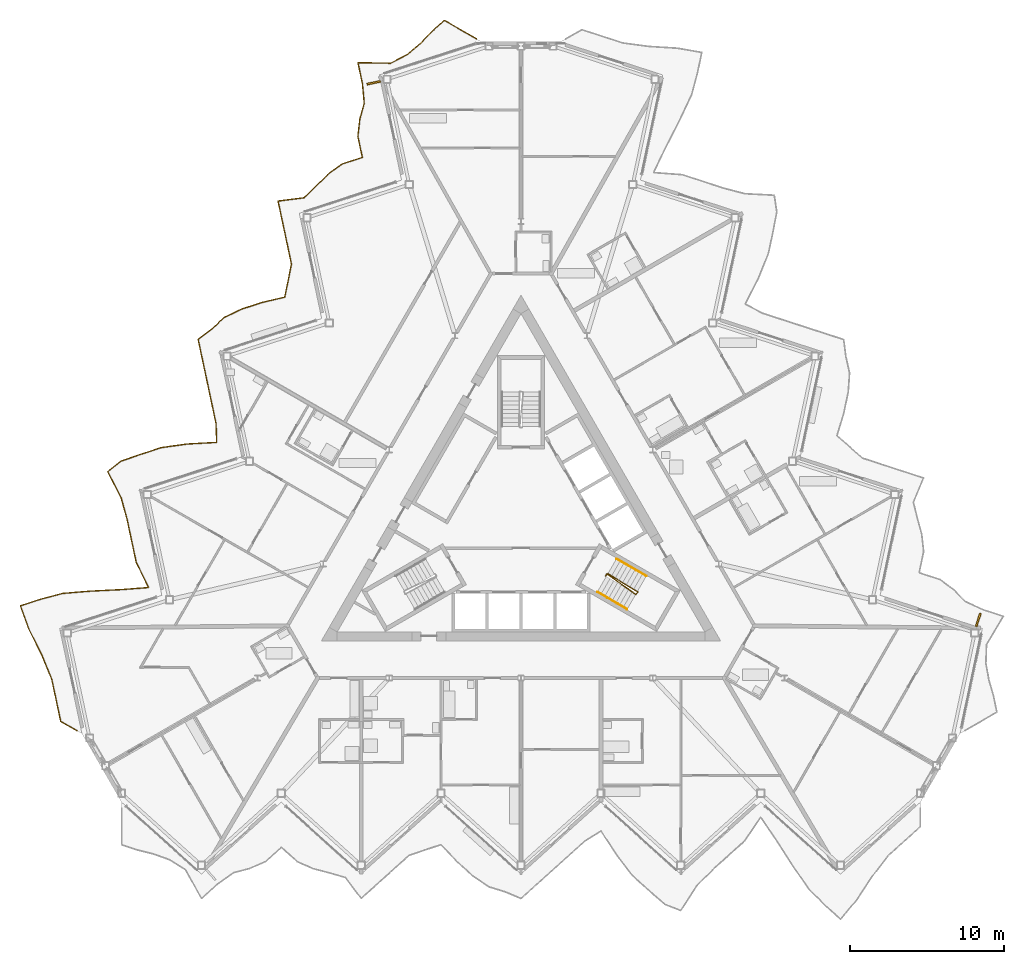
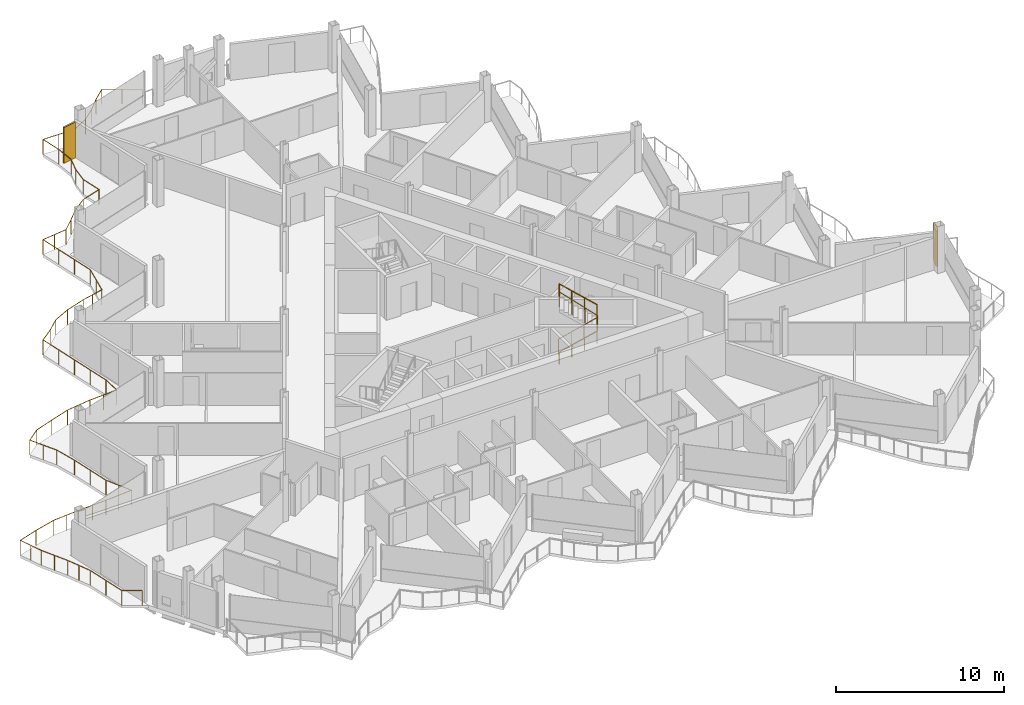
# One storey, part 23 of 26: 4 railings, 2 shading devices.
"""IFC4 building model written with IfcOpenShell, lengths in metres."""

from ifc_helpers import new_model, si_unit, direction, frame, origin, origin_2d, place, context, subcontext, project, spatial, rectangle, circle, extrude, material, layer, layer_set, type_object, element, save


model = new_model("IFC4")

# Units and contexts
model_context = context("Model", 3, precision=1e-05, world=origin(), true_north=direction((0.0, 1.0)))
body_context = subcontext(model_context, "Body", "Model", "MODEL_VIEW")
ifc_project = project(units=[si_unit("LENGTHUNIT", "METRE"), si_unit("AREAUNIT", "SQUARE_METRE"), si_unit("VOLUMEUNIT", "CUBIC_METRE"), si_unit("PLANEANGLEUNIT", "RADIAN"), si_unit("MASSUNIT", "GRAM", prefix="KILO")], contexts=[model_context])

# Site, building, storey
site_placement = place(None, origin())
site = spatial("IfcSite", under=ifc_project, at=site_placement, CompositionType="ELEMENT")
building_placement = place(site_placement, origin())
building = spatial("IfcBuilding", under=site, at=building_placement, Name="Cormorant Prow Tower", CompositionType="ELEMENT")
storey_placement = place(building_placement, frame((0.0, 0.0, 374.60009765625)))
storey = spatial("IfcBuildingStorey", under=building, at=storey_placement, Name="L84", CompositionType="ELEMENT", Elevation=374.60009765625)

# Railings
ifc_material_1 = material(Name="Aluminium 6063-T6", Category="aluminium")
railing_type_1 = type_object("IfcRailingType", Name="Balcony guard 1100", PredefinedType="GUARDRAIL", material=ifc_material_1)
railing_1_placement = place(storey_placement, frame((-2.9033203125, 31.698486328125, 0.0)))
element("IfcRailing", 1, at=railing_1_placement, inside=storey, type_object=railing_type_1, Name="Balcony guard WNW", PredefinedType="GUARDRAIL", context=body_context, shape_type="SweptSolid", body=[
    extrude(circle(Radius=0.02392578125, at=origin_2d()), frame((0.0, 0.0, 1.076171875), z_axis=(-0.866028295127, 0.499994992015, 0.0), x_axis=(-0.499994992015, -0.866028295127, 0.0)), (0.0, 0.0, 1.0), 2.40380859375),
    extrude(circle(Radius=0.02392578125, at=origin_2d()), frame((-2.081787109375, 1.201904296875, 1.076171875), z_axis=(-0.747028027556, -0.664792543615, 0.0), x_axis=(0.664792543615, -0.747028027556, 0.0)), (0.0, 0.0, 1.0), 1.095458984375),
    extrude(circle(Radius=0.02392578125, at=origin_2d()), frame((-2.900146484375, 0.4736328125, 1.076171875), z_axis=(-0.694236727025, -0.719746737992, 0.0), x_axis=(0.719746737992, -0.694236727025, 0.0)), (0.0, 0.0, 1.0), 1.07177734375),
    extrude(circle(Radius=0.02392578125, at=origin_2d()), frame((-3.644287109375, -0.2978515625, 1.076171875), z_axis=(-0.76253887215, -0.646942399647, 0.0), x_axis=(0.646942399647, -0.76253887215, 0.0)), (0.0, 0.0, 1.0), 1.1044921875),
    extrude(circle(Radius=0.02392578125, at=origin_2d()), frame((-4.486572265625, -1.012451171875, 1.076171875), z_axis=(-0.883594298779, -0.468253259641, 0.0), x_axis=(0.468253259641, -0.883594298779, 0.0)), (0.0, 0.0, 1.0), 1.227294921875),
    extrude(circle(Radius=0.02392578125, at=origin_2d()), frame((-5.571044921875, -1.587158203125, 1.076171875), z_axis=(-0.999868822817, 0.016196825558, 0.0), x_axis=(-0.016196825558, -0.999868822817, 0.0)), (0.0, 0.0, 1.0), 2.140380859375),
    extrude(circle(Radius=0.02392578125, at=origin_2d()), frame((-7.711181640625, -1.552490234375, 1.076171875), z_axis=(0.207812845083, -0.978168605823, 0.0), x_axis=(0.978168605823, 0.207812845083, 0.0)), (0.0, 0.0, 1.0), 1.399169921875),
    extrude(circle(Radius=0.02392578125, at=origin_2d()), frame((-7.42041015625, -2.921142578125, 1.076171875), z_axis=(0.092331865251, -0.995728289575, 0.0), x_axis=(0.995728289575, 0.092331865251, 0.0)), (0.0, 0.0, 1.0), 1.2744140625),
    extrude(circle(Radius=0.02392578125, at=origin_2d()), frame((-7.302734375, -4.190185546875, 1.076171875), z_axis=(-0.265615902579, -0.964078934682, 0.0), x_axis=(0.964078934682, -0.265615902579, 0.0)), (0.0, 0.0, 1.0), 1.074462890625),
    extrude(circle(Radius=0.02392578125, at=origin_2d()), frame((-7.588134765625, -5.22607421875, 1.076171875), z_axis=(-0.113242992784, -0.993567322624, 0.0), x_axis=(0.993567322624, -0.113242992784, 0.0)), (0.0, 0.0, 1.0), 1.134033203125),
    extrude(circle(Radius=0.02392578125, at=origin_2d()), frame((-7.716552734375, -6.352783203125, 1.076171875), z_axis=(0.207944297815, -0.978140669335, 0.0), x_axis=(0.978140669335, 0.207944297815, 0.0)), (0.0, 0.0, 1.0), 1.3994140625),
    extrude(circle(Radius=0.02392578125, at=origin_2d()), frame((-7.425537109375, -7.7216796875, 1.076171875), z_axis=(-0.951028941009, -0.309101849499, 0.0), x_axis=(0.309101849499, -0.951028941009, 0.0)), (0.0, 0.0, 1.0), 1.399658203125),
    extrude(circle(Radius=0.02392578125, at=origin_2d()), frame((-8.756591796875, -8.154296875, 1.076171875), z_axis=(-0.806097358344, -0.591782940672, 0.0), x_axis=(0.591782940672, -0.806097358344, 0.0)), (0.0, 0.0, 1.0), 1.1357421875),
    extrude(circle(Radius=0.02392578125, at=origin_2d()), frame((-9.672119140625, -8.826416015625, 1.076171875), z_axis=(-0.70254935374, -0.711635022718, 0.0), x_axis=(0.711635022718, -0.70254935374, 0.0)), (0.0, 0.0, 1.0), 1.074951171875),
    extrude(circle(Radius=0.02392578125, at=origin_2d()), frame((-10.42724609375, -9.59130859375, 1.076171875), z_axis=(-0.720069694102, -0.693901747825, 0.0), x_axis=(0.693901747825, -0.720069694102, 0.0)), (0.0, 0.0, 1.0), 1.082275390625),
    extrude(circle(Radius=0.02392578125, at=origin_2d()), frame((-11.20654296875, -10.34228515625, 1.076171875), z_axis=(-0.992011169579, -0.126150067104, 0.0), x_axis=(0.126150067104, -0.992011169579, 0.0)), (0.0, 0.0, 1.0), 1.718505859375),
    extrude(circle(Radius=0.02392578125, at=origin_2d()), frame((-12.911376953125, -10.55908203125, 1.076171875), z_axis=(0.207944297815, -0.978140669335, 0.0), x_axis=(0.978140669335, 0.207944297815, 0.0)), (0.0, 0.0, 1.0), 1.3994140625),
    extrude(circle(Radius=0.02392578125, at=origin_2d()), frame((-12.620361328125, -11.927978515625, 1.076171875), z_axis=(0.207944297815, -0.978140669335, 0.0), x_axis=(0.978140669335, 0.207944297815, 0.0)), (0.0, 0.0, 1.0), 1.3994140625),
    extrude(circle(Radius=0.02392578125, at=origin_2d()), frame((-12.329345703125, -13.296875, 1.076171875), z_axis=(0.207944297815, -0.978140669335, 0.0), x_axis=(0.978140669335, 0.207944297815, 0.0)), (0.0, 0.0, 1.0), 1.3994140625),
    extrude(circle(Radius=0.02392578125, at=origin_2d()), frame((-12.038330078125, -14.665771484375, 1.076171875), z_axis=(-0.198084601459, -0.980184926769, 0.0), x_axis=(0.980184926769, -0.198084601459, 0.0)), (0.0, 0.0, 1.0), 1.096923828125),
    extrude(circle(Radius=0.02392578125, at=origin_2d()), frame((-12.255615234375, -15.740966796875, 1.076171875), z_axis=(-0.203482527061, -0.979078577633, 0.0), x_axis=(0.979078577633, -0.203482527061, 0.0)), (0.0, 0.0, 1.0), 1.095458984375),
    extrude(circle(Radius=0.02392578125, at=origin_2d()), frame((-12.478515625, -16.8134765625, 1.076171875), z_axis=(-0.973469863135, -0.228815265154, 0.0), x_axis=(0.228815265154, -0.973469863135, 0.0)), (0.0, 0.0, 1.0), 1.518310546875),
    extrude(circle(Radius=0.02392578125, at=origin_2d()), frame((-13.95654296875, -17.160888671875, 1.076171875), z_axis=(-0.951080208938, -0.308944066403, 0.0), x_axis=(0.308944066403, -0.951080208938, 0.0)), (0.0, 0.0, 1.0), 1.3994140625),
    extrude(circle(Radius=0.02392578125, at=origin_2d()), frame((-15.28759765625, -17.59326171875, 1.076171875), z_axis=(-0.899160631428, -0.437618736905, 0.0), x_axis=(0.437618736905, -0.899160631428, 0.0)), (0.0, 0.0, 1.0), 1.255126953125),
    extrude(circle(Radius=0.02392578125, at=origin_2d()), frame((-16.416259765625, -18.142578125, 1.076171875), z_axis=(-0.733719269068, -0.679452746111, 0.0), x_axis=(0.679452746111, -0.733719269068, 0.0)), (0.0, 0.0, 1.0), 1.088623046875),
    extrude(circle(Radius=0.02392578125, at=origin_2d()), frame((-17.215087890625, -18.88232421875, 1.076171875), z_axis=(-0.795217846059, -0.606323822152, 0.0), x_axis=(0.606323822152, -0.795217846059, 0.0)), (0.0, 0.0, 1.0), 1.126953125),
    extrude(circle(Radius=0.02392578125, at=origin_2d()), frame((-18.111328125, -19.565673828125, 1.076171875), z_axis=(0.207944297815, -0.978140669335, 0.0), x_axis=(0.978140669335, 0.207944297815, 0.0)), (0.0, 0.0, 1.0), 1.3994140625),
    extrude(circle(Radius=0.02392578125, at=origin_2d()), frame((-17.8203125, -20.9345703125, 1.076171875), z_axis=(0.207944297815, -0.978140669335, 0.0), x_axis=(0.978140669335, 0.207944297815, 0.0)), (0.0, 0.0, 1.0), 1.3994140625),
    extrude(circle(Radius=0.02392578125, at=origin_2d()), frame((-17.529296875, -22.303466796875, 1.076171875), z_axis=(0.207944297815, -0.978140669335, 0.0), x_axis=(0.978140669335, 0.207944297815, 0.0)), (0.0, 0.0, 1.0), 1.3994140625),
    extrude(circle(Radius=0.02392578125, at=origin_2d()), frame((-17.23828125, -23.67236328125, 1.076171875), z_axis=(0.20777738218, -0.978176139279, 0.0), x_axis=(0.978176139279, 0.20777738218, 0.0)), (0.0, 0.0, 1.0), 1.3994140625),
    extrude(circle(Radius=0.02392578125, at=origin_2d()), frame((-16.947509765625, -25.041259765625, 1.076171875), z_axis=(0.031128847929, -0.999515379985, 0.0), x_axis=(0.999515379985, 0.031128847929, 0.0)), (0.0, 0.0, 1.0), 1.223388671875),
    extrude(circle(Radius=0.02392578125, at=origin_2d()), frame((-16.909423828125, -26.26416015625, 1.076171875), z_axis=(-0.998465882312, -0.05537040598, 0.0), x_axis=(0.05537040598, -0.998465882312, 0.0)), (0.0, 0.0, 1.0), 1.900390625),
    extrude(circle(Radius=0.02392578125, at=origin_2d()), frame((-18.806884765625, -26.369384765625, 1.076171875), z_axis=(-0.99070891835, -0.13599940846, 0.0), x_axis=(0.13599940846, -0.99070891835, 0.0)), (0.0, 0.0, 1.0), 1.696533203125),
    extrude(circle(Radius=0.02392578125, at=origin_2d()), frame((-20.487548828125, -26.60009765625, 1.076171875), z_axis=(-0.951063554534, -0.308995332064, 0.0), x_axis=(0.308995332064, -0.951063554534, 0.0)), (0.0, 0.0, 1.0), 1.399169921875),
    extrude(circle(Radius=0.02392578125, at=origin_2d()), frame((-21.818359375, -27.032470703125, 1.076171875), z_axis=(-0.945316455865, -0.326154561934, 0.0), x_axis=(0.326154561934, -0.945316455865, 0.0)), (0.0, 0.0, 1.0), 1.377197265625),
    extrude(circle(Radius=0.02392578125, at=origin_2d()), frame((-23.120361328125, -27.481689453125, 1.076171875), z_axis=(-0.781124687772, -0.624375065288, 0.0), x_axis=(0.624375065288, -0.781124687772, 0.0)), (0.0, 0.0, 1.0), 1.11669921875),
    extrude(circle(Radius=0.02392578125, at=origin_2d()), frame((-23.99267578125, -28.178955078125, 1.076171875), z_axis=(0.456008801075, -0.889975265579, 0.0), x_axis=(0.889975265579, 0.456008801075, 0.0)), (0.0, 0.0, 1.0), 1.916259765625),
    extrude(circle(Radius=0.02392578125, at=origin_2d()), frame((-23.118896484375, -29.88427734375, 1.076171875), z_axis=(0.263466814017, -0.9646684601, 0.0), x_axis=(0.9646684601, 0.263466814017, 0.0)), (0.0, 0.0, 1.0), 1.47802734375),
    extrude(circle(Radius=0.02392578125, at=origin_2d()), frame((-22.7294921875, -31.31005859375, 1.076171875), z_axis=(0.207944297815, -0.978140669335, 0.0), x_axis=(0.978140669335, 0.207944297815, 0.0)), (0.0, 0.0, 1.0), 1.3994140625),
    extrude(circle(Radius=0.02392578125, at=origin_2d()), frame((-22.4384765625, -32.678955078125, 1.076171875), z_axis=(0.207944297815, -0.978140669335, 0.0), x_axis=(0.978140669335, 0.207944297815, 0.0)), (0.0, 0.0, 1.0), 1.3994140625),
    extrude(circle(Radius=0.02392578125, at=origin_2d()), frame((-22.1474609375, -34.0478515625, 1.076171875), z_axis=(0.434486752243, -0.90067822341, 0.0), x_axis=(0.90067822341, 0.434486752243, 0.0)), (0.0, 0.0, 1.0), 1.84814453125),
    extrude(circle(Radius=0.02392578125, at=origin_2d()), frame((-21.344482421875, -35.71240234375, 1.076171875), z_axis=(-0.997204239549, -0.074724190364, 0.0), x_axis=(0.074724190364, -0.997204239549, 0.0)), (0.0, 0.0, 1.0), 1.845947265625),
    extrude(circle(Radius=0.02392578125, at=origin_2d()), frame((-23.185302734375, -35.850341796875, 1.076171875), z_axis=(-0.998814010326, -0.048688528186, 0.0), x_axis=(0.048688528186, -0.998814010326, 0.0)), (0.0, 0.0, 1.0), 1.92041015625),
    extrude(circle(Radius=0.02392578125, at=origin_2d()), frame((-25.103515625, -35.94384765625, 1.076171875), z_axis=(-0.996687929832, -0.081321402635, 0.0), x_axis=(0.081321402635, -0.996687929832, 0.0)), (0.0, 0.0, 1.0), 1.828369140625),
    extrude(circle(Radius=0.02392578125, at=origin_2d()), frame((-26.92578125, -36.092529296875, 1.076171875), z_axis=(-0.966314659055, -0.257363516637, 0.0), x_axis=(0.257363516637, -0.966314659055, 0.0)), (0.0, 0.0, 1.0), 1.47314453125),
    extrude(circle(Radius=0.02392578125, at=origin_2d()), frame((-28.349365234375, -36.4716796875, 1.076171875), z_axis=(-0.951080208938, -0.308944066403, 0.0), x_axis=(0.308944066403, -0.951080208938, 0.0)), (0.0, 0.0, 1.0), 1.3994140625),
    extrude(circle(Radius=0.02392578125, at=origin_2d()), frame((-29.680419921875, -36.904052734375, 1.076171875), z_axis=(0.34291675065, -0.939365797825, 0.0), x_axis=(0.939365797825, 0.34291675065, 0.0)), (0.0, 0.0, 1.0), 1.61962890625),
    extrude(circle(Radius=0.02392578125, at=origin_2d()), frame((-29.125, -38.425537109375, 1.076171875), z_axis=(0.445968959957, -0.895048427045, 0.0), x_axis=(0.895048427045, 0.445968959957, 0.0)), (0.0, 0.0, 1.0), 1.8837890625),
    extrude(circle(Radius=0.02392578125, at=origin_2d()), frame((-28.284912109375, -40.111572265625, 1.076171875), z_axis=(0.379883781197, -0.925034222493, 0.0), x_axis=(0.925034222493, 0.379883781197, 0.0)), (0.0, 0.0, 1.0), 1.701904296875),
    extrude(circle(Radius=0.02392578125, at=origin_2d()), frame((-27.638427734375, -41.685791015625, 1.076171875), z_axis=(0.207979786632, -0.978133124044, 0.0), x_axis=(0.978133124044, 0.207979786632, 0.0)), (0.0, 0.0, 1.0), 1.399169921875),
    extrude(circle(Radius=0.02392578125, at=origin_2d()), frame((-27.347412109375, -43.054443359375, 1.076171875), z_axis=(0.207944297815, -0.978140669335, 0.0), x_axis=(0.978140669335, 0.207944297815, 0.0)), (0.0, 0.0, 1.0), 1.3994140625),
    extrude(circle(Radius=0.02392578125, at=origin_2d()), frame((-27.056396484375, -44.42333984375, 1.076171875), z_axis=(0.865955602162, -0.500120880472, 0.0), x_axis=(0.500120880472, 0.865955602162, 0.0)), (0.0, 0.0, 1.0), 1.219970703125),
    extrude(circle(Radius=0.02099609375, at=origin_2d()), origin(), (0.0, 0.0, 1.0), 1.052001953125),
    extrude(circle(Radius=0.02099609375, at=origin_2d()), frame((-1.041015625, 0.60107421875, 0.0)), (0.0, 0.0, 1.0), 1.052001953125),
    extrude(circle(Radius=0.02099609375, at=origin_2d()), frame((-2.081787109375, 1.201904296875, 0.0)), (0.0, 0.0, 1.0), 1.052001953125),
    extrude(circle(Radius=0.02099609375, at=origin_2d()), frame((-2.900146484375, 0.4736328125, 0.0)), (0.0, 0.0, 1.0), 1.052001953125),
    extrude(circle(Radius=0.02099609375, at=origin_2d()), frame((-3.644287109375, -0.2978515625, 0.0)), (0.0, 0.0, 1.0), 1.052001953125),
    extrude(circle(Radius=0.02099609375, at=origin_2d()), frame((-4.486572265625, -1.012451171875, 0.0)), (0.0, 0.0, 1.0), 1.052001953125),
    extrude(circle(Radius=0.02099609375, at=origin_2d()), frame((-5.571044921875, -1.587158203125, 0.0)), (0.0, 0.0, 1.0), 1.052001953125),
    extrude(circle(Radius=0.02099609375, at=origin_2d()), frame((-6.64111328125, -1.56982421875, 0.0)), (0.0, 0.0, 1.0), 1.052001953125),
    extrude(circle(Radius=0.02099609375, at=origin_2d()), frame((-7.711181640625, -1.552490234375, 0.0)), (0.0, 0.0, 1.0), 1.052001953125),
    extrude(circle(Radius=0.02099609375, at=origin_2d()), frame((-7.42041015625, -2.921142578125, 0.0)), (0.0, 0.0, 1.0), 1.052001953125),
    extrude(circle(Radius=0.02099609375, at=origin_2d()), frame((-7.302734375, -4.190185546875, 0.0)), (0.0, 0.0, 1.0), 1.052001953125),
    extrude(circle(Radius=0.02099609375, at=origin_2d()), frame((-7.588134765625, -5.22607421875, 0.0)), (0.0, 0.0, 1.0), 1.052001953125),
    extrude(circle(Radius=0.02099609375, at=origin_2d()), frame((-7.716552734375, -6.352783203125, 0.0)), (0.0, 0.0, 1.0), 1.052001953125),
    extrude(circle(Radius=0.02099609375, at=origin_2d()), frame((-7.425537109375, -7.7216796875, 0.0)), (0.0, 0.0, 1.0), 1.052001953125),
    extrude(circle(Radius=0.02099609375, at=origin_2d()), frame((-8.756591796875, -8.154296875, 0.0)), (0.0, 0.0, 1.0), 1.052001953125),
    extrude(circle(Radius=0.02099609375, at=origin_2d()), frame((-9.672119140625, -8.826416015625, 0.0)), (0.0, 0.0, 1.0), 1.052001953125),
    extrude(circle(Radius=0.02099609375, at=origin_2d()), frame((-10.42724609375, -9.59130859375, 0.0)), (0.0, 0.0, 1.0), 1.052001953125),
    extrude(circle(Radius=0.02099609375, at=origin_2d()), frame((-11.20654296875, -10.34228515625, 0.0)), (0.0, 0.0, 1.0), 1.052001953125),
    extrude(circle(Radius=0.02099609375, at=origin_2d()), frame((-12.05908203125, -10.45068359375, 0.0)), (0.0, 0.0, 1.0), 1.052001953125),
    extrude(circle(Radius=0.02099609375, at=origin_2d()), frame((-12.911376953125, -10.55908203125, 0.0)), (0.0, 0.0, 1.0), 1.052001953125),
    extrude(circle(Radius=0.02099609375, at=origin_2d()), frame((-12.620361328125, -11.927978515625, 0.0)), (0.0, 0.0, 1.0), 1.052001953125),
    extrude(circle(Radius=0.02099609375, at=origin_2d()), frame((-12.329345703125, -13.296875, 0.0)), (0.0, 0.0, 1.0), 1.052001953125),
    extrude(circle(Radius=0.02099609375, at=origin_2d()), frame((-12.038330078125, -14.665771484375, 0.0)), (0.0, 0.0, 1.0), 1.052001953125),
    extrude(circle(Radius=0.02099609375, at=origin_2d()), frame((-12.255615234375, -15.740966796875, 0.0)), (0.0, 0.0, 1.0), 1.052001953125),
    extrude(circle(Radius=0.02099609375, at=origin_2d()), frame((-12.478515625, -16.8134765625, 0.0)), (0.0, 0.0, 1.0), 1.052001953125),
    extrude(circle(Radius=0.02099609375, at=origin_2d()), frame((-13.217529296875, -16.9873046875, 0.0)), (0.0, 0.0, 1.0), 1.052001953125),
    extrude(circle(Radius=0.02099609375, at=origin_2d()), frame((-13.95654296875, -17.160888671875, 0.0)), (0.0, 0.0, 1.0), 1.052001953125),
    extrude(circle(Radius=0.02099609375, at=origin_2d()), frame((-15.28759765625, -17.59326171875, 0.0)), (0.0, 0.0, 1.0), 1.052001953125),
    extrude(circle(Radius=0.02099609375, at=origin_2d()), frame((-16.416259765625, -18.142578125, 0.0)), (0.0, 0.0, 1.0), 1.052001953125),
    extrude(circle(Radius=0.02099609375, at=origin_2d()), frame((-17.215087890625, -18.88232421875, 0.0)), (0.0, 0.0, 1.0), 1.052001953125),
    extrude(circle(Radius=0.02099609375, at=origin_2d()), frame((-18.111328125, -19.565673828125, 0.0)), (0.0, 0.0, 1.0), 1.052001953125),
    extrude(circle(Radius=0.02099609375, at=origin_2d()), frame((-17.8203125, -20.9345703125, 0.0)), (0.0, 0.0, 1.0), 1.052001953125),
    extrude(circle(Radius=0.02099609375, at=origin_2d()), frame((-17.529296875, -22.303466796875, 0.0)), (0.0, 0.0, 1.0), 1.052001953125),
    extrude(circle(Radius=0.02099609375, at=origin_2d()), frame((-17.23828125, -23.67236328125, 0.0)), (0.0, 0.0, 1.0), 1.052001953125),
    extrude(circle(Radius=0.02099609375, at=origin_2d()), frame((-16.947509765625, -25.041259765625, 0.0)), (0.0, 0.0, 1.0), 1.052001953125),
    extrude(circle(Radius=0.02099609375, at=origin_2d()), frame((-16.909423828125, -26.26416015625, 0.0)), (0.0, 0.0, 1.0), 1.052001953125),
    extrude(circle(Radius=0.02099609375, at=origin_2d()), frame((-17.858154296875, -26.31689453125, 0.0)), (0.0, 0.0, 1.0), 1.052001953125),
    extrude(circle(Radius=0.02099609375, at=origin_2d()), frame((-18.806884765625, -26.369384765625, 0.0)), (0.0, 0.0, 1.0), 1.052001953125),
    extrude(circle(Radius=0.02099609375, at=origin_2d()), frame((-19.647216796875, -26.48486328125, 0.0)), (0.0, 0.0, 1.0), 1.052001953125),
    extrude(circle(Radius=0.02099609375, at=origin_2d()), frame((-20.487548828125, -26.60009765625, 0.0)), (0.0, 0.0, 1.0), 1.052001953125),
    extrude(circle(Radius=0.02099609375, at=origin_2d()), frame((-21.818359375, -27.032470703125, 0.0)), (0.0, 0.0, 1.0), 1.052001953125),
    extrude(circle(Radius=0.02099609375, at=origin_2d()), frame((-23.120361328125, -27.481689453125, 0.0)), (0.0, 0.0, 1.0), 1.052001953125),
    extrude(circle(Radius=0.02099609375, at=origin_2d()), frame((-23.99267578125, -28.178955078125, 0.0)), (0.0, 0.0, 1.0), 1.052001953125),
    extrude(circle(Radius=0.02099609375, at=origin_2d()), frame((-23.5556640625, -29.03173828125, 0.0)), (0.0, 0.0, 1.0), 1.052001953125),
    extrude(circle(Radius=0.02099609375, at=origin_2d()), frame((-23.118896484375, -29.88427734375, 0.0)), (0.0, 0.0, 1.0), 1.052001953125),
    extrude(circle(Radius=0.02099609375, at=origin_2d()), frame((-22.7294921875, -31.31005859375, 0.0)), (0.0, 0.0, 1.0), 1.052001953125),
    extrude(circle(Radius=0.02099609375, at=origin_2d()), frame((-22.4384765625, -32.678955078125, 0.0)), (0.0, 0.0, 1.0), 1.052001953125),
    extrude(circle(Radius=0.02099609375, at=origin_2d()), frame((-22.1474609375, -34.0478515625, 0.0)), (0.0, 0.0, 1.0), 1.052001953125),
    extrude(circle(Radius=0.02099609375, at=origin_2d()), frame((-21.74609375, -34.880126953125, 0.0)), (0.0, 0.0, 1.0), 1.052001953125),
    extrude(circle(Radius=0.02099609375, at=origin_2d()), frame((-21.344482421875, -35.71240234375, 0.0)), (0.0, 0.0, 1.0), 1.052001953125),
    extrude(circle(Radius=0.02099609375, at=origin_2d()), frame((-22.264892578125, -35.78125, 0.0)), (0.0, 0.0, 1.0), 1.052001953125),
    extrude(circle(Radius=0.02099609375, at=origin_2d()), frame((-23.185302734375, -35.850341796875, 0.0)), (0.0, 0.0, 1.0), 1.052001953125),
    extrude(circle(Radius=0.02099609375, at=origin_2d()), frame((-24.14453125, -35.89697265625, 0.0)), (0.0, 0.0, 1.0), 1.052001953125),
    extrude(circle(Radius=0.02099609375, at=origin_2d()), frame((-25.103515625, -35.94384765625, 0.0)), (0.0, 0.0, 1.0), 1.052001953125),
    extrude(circle(Radius=0.02099609375, at=origin_2d()), frame((-26.0146484375, -36.01806640625, 0.0)), (0.0, 0.0, 1.0), 1.052001953125),
    extrude(circle(Radius=0.02099609375, at=origin_2d()), frame((-26.92578125, -36.092529296875, 0.0)), (0.0, 0.0, 1.0), 1.052001953125),
    extrude(circle(Radius=0.02099609375, at=origin_2d()), frame((-28.349365234375, -36.4716796875, 0.0)), (0.0, 0.0, 1.0), 1.052001953125),
    extrude(circle(Radius=0.02099609375, at=origin_2d()), frame((-29.680419921875, -36.904052734375, 0.0)), (0.0, 0.0, 1.0), 1.052001953125),
    extrude(circle(Radius=0.02099609375, at=origin_2d()), frame((-29.40283203125, -37.664794921875, 0.0)), (0.0, 0.0, 1.0), 1.052001953125),
    extrude(circle(Radius=0.02099609375, at=origin_2d()), frame((-29.125, -38.425537109375, 0.0)), (0.0, 0.0, 1.0), 1.052001953125),
    extrude(circle(Radius=0.02099609375, at=origin_2d()), frame((-28.705078125, -39.2685546875, 0.0)), (0.0, 0.0, 1.0), 1.052001953125),
    extrude(circle(Radius=0.02099609375, at=origin_2d()), frame((-28.284912109375, -40.111572265625, 0.0)), (0.0, 0.0, 1.0), 1.052001953125),
    extrude(circle(Radius=0.02099609375, at=origin_2d()), frame((-27.961669921875, -40.898681640625, 0.0)), (0.0, 0.0, 1.0), 1.052001953125),
    extrude(circle(Radius=0.02099609375, at=origin_2d()), frame((-27.638427734375, -41.685791015625, 0.0)), (0.0, 0.0, 1.0), 1.052001953125),
    extrude(circle(Radius=0.02099609375, at=origin_2d()), frame((-27.347412109375, -43.054443359375, 0.0)), (0.0, 0.0, 1.0), 1.052001953125),
    extrude(circle(Radius=0.02099609375, at=origin_2d()), frame((-27.056396484375, -44.42333984375, 0.0)), (0.0, 0.0, 1.0), 1.052001953125),
    extrude(circle(Radius=0.02099609375, at=origin_2d()), frame((-26.0, -45.033447265625, 0.0)), (0.0, 0.0, 1.0), 1.052001953125),
])
ifc_material_2 = material(Name="Stainless steel", Category="steel")
railing_type_2 = type_object("IfcRailingType", Name="Stair guard 1100", PredefinedType="GUARDRAIL", material=ifc_material_2)
railing_2_placement = place(storey_placement, frame((5.510009765625, -3.267822265625, 0.0)))
element("IfcRailing", 2, at=railing_2_placement, inside=storey, type_object=railing_type_2, Name="L84 ST2 stair guard 1", PredefinedType="GUARDRAIL", context=body_context, shape_type="SweptSolid", body=[
    extrude(circle(Radius=0.02392578125, at=origin_2d()), frame((0.0, 0.0, 1.076171875), z_axis=(0.501036270542, 0.865426285481, 0.0), x_axis=(-0.865426285481, 0.501036270542, 0.0)), (0.0, 0.0, 1.0), 0.150146484375),
    extrude(circle(Radius=0.02392578125, at=origin_2d()), frame((0.0751953125, 0.1298828125, 1.076171875), z_axis=(0.658670593711, -0.461060875852, 0.594622500196), x_axis=(0.573455215813, 0.819236910458, 0.0)), (0.0, 0.0, 1.0), 2.85888671875),
    extrude(circle(Radius=0.02392578125, at=origin_2d()), frame((1.958251953125, -1.188232421875, 2.77587890625), z_axis=(0.695164929852, 0.718850276695, 0.0), x_axis=(-0.718850276695, 0.695164929852, 0.0)), (0.0, 0.0, 1.0), 0.2060546875),
    extrude(circle(Radius=0.02392578125, at=origin_2d()), frame((2.1015625, -1.0400390625, 2.77587890625), z_axis=(-0.686515364547, 0.416565300991, 0.595961411712), x_axis=(-0.518752825935, -0.854924268918, 0.0)), (0.0, 0.0, 1.0), 2.8525390625),
    extrude(circle(Radius=0.02099609375, at=origin_2d()), origin(), (0.0, 0.0, 1.0), 1.052001953125),
    extrude(circle(Radius=0.02099609375, at=origin_2d()), frame((0.0751953125, 0.1298828125, 0.0)), (0.0, 0.0, 1.0), 1.052001953125),
    extrude(circle(Radius=0.02099609375, at=origin_2d()), frame((0.702880859375, -0.3095703125, 0.566650390625)), (0.0, 0.0, 1.0), 1.052001953125),
    extrude(circle(Radius=0.02099609375, at=origin_2d()), frame((1.33056640625, -0.748779296875, 1.13330078125)), (0.0, 0.0, 1.0), 1.052001953125),
    extrude(circle(Radius=0.02099609375, at=origin_2d()), frame((1.958251953125, -1.188232421875, 1.699951171875)), (0.0, 0.0, 1.0), 1.052001953125),
    extrude(circle(Radius=0.02099609375, at=origin_2d()), frame((2.1015625, -1.0400390625, 1.699951171875)), (0.0, 0.0, 1.0), 1.052001953125),
    extrude(circle(Radius=0.02099609375, at=origin_2d()), frame((1.44873046875, -0.64404296875, 2.2666015625)), (0.0, 0.0, 1.0), 1.052001953125),
    extrude(circle(Radius=0.02099609375, at=origin_2d()), frame((0.796142578125, -0.247802734375, 2.833251953125)), (0.0, 0.0, 1.0), 1.052001953125),
    extrude(circle(Radius=0.02099609375, at=origin_2d()), frame((0.143310546875, 0.148193359375, 3.39990234375)), (0.0, 0.0, 1.0), 1.052001953125),
])
ifc_material_3 = material(Name="Stainless steel", Category="steel")
railing_type_3 = type_object("IfcRailingType", Name="Stair handrail 900", PredefinedType="HANDRAIL", material=ifc_material_3)
railing_3_placement = place(storey_placement, frame((4.968994140625, -4.30517578125, 0.188720703125)))
element("IfcRailing", 3, at=railing_3_placement, inside=storey, type_object=railing_type_3, Name="L84 ST2 stair handrail 1", PredefinedType="HANDRAIL", context=body_context, shape_type="SweptSolid", body=[
    extrude(circle(Radius=0.02392578125, at=origin_2d()), frame((0.0, 0.0, 0.8759765625), z_axis=(0.717869644322, -0.414548260308, 0.559296802813), x_axis=(0.500077830873, 0.865980463445, 0.0)), (0.0, 0.0, 1.0), 2.701904296875),
    extrude(circle(Radius=0.02099609375, at=origin_2d()), origin(), (0.0, 0.0, 1.0), 0.851806640625),
    extrude(circle(Radius=0.02099609375, at=origin_2d()), frame((0.646484375, -0.373291015625, 0.503662109375)), (0.0, 0.0, 1.0), 0.851806640625),
    extrude(circle(Radius=0.02099609375, at=origin_2d()), frame((1.293212890625, -0.746826171875, 1.007568359375)), (0.0, 0.0, 1.0), 0.851806640625),
    extrude(circle(Radius=0.02099609375, at=origin_2d()), frame((1.939697265625, -1.1201171875, 1.51123046875)), (0.0, 0.0, 1.0), 0.851806640625),
])
railing_4_placement = place(storey_placement, frame((8.15283203125, -3.2705078125, 1.888671875)))
element("IfcRailing", 4, at=railing_4_placement, inside=storey, type_object=railing_type_3, Name="L84 ST2 stair handrail 2", PredefinedType="HANDRAIL", context=body_context, shape_type="SweptSolid", body=[
    extrude(circle(Radius=0.02392578125, at=origin_2d()), frame((0.0, 0.0, 0.8759765625), z_axis=(-0.717940317343, 0.414446543626, 0.55928147047), x_axis=(-0.49994888933, -0.866054910533, 0.0)), (0.0, 0.0, 1.0), 2.7021484375),
    extrude(circle(Radius=0.02099609375, at=origin_2d()), origin(), (0.0, 0.0, 1.0), 0.851806640625),
    extrude(circle(Radius=0.02099609375, at=origin_2d()), frame((-0.646728515625, 0.373291015625, 0.503662109375)), (0.0, 0.0, 1.0), 0.851806640625),
    extrude(circle(Radius=0.02099609375, at=origin_2d()), frame((-1.293212890625, 0.74658203125, 1.007568359375)), (0.0, 0.0, 1.0), 0.851806640625),
    extrude(circle(Radius=0.02099609375, at=origin_2d()), frame((-1.93994140625, 1.119873046875, 1.51123046875)), (0.0, 0.0, 1.0), 0.851806640625),
])

# Shading devices
ifc_material_4 = material(Name="Terracotta", Category="masonry")
ifc_layer = layer(ifc_material_4, 0.1201171875)
ifc_layer_set = layer_set([ifc_layer], Name="Terracotta")
shading_device_type = type_object("IfcShadingDeviceType", Name="Terracotta baguette fin 120x900x2600", PredefinedType="USERDEFINED", material=ifc_layer_set)
for number, where, z_axis, x_axis, name in (
    (5, (29.762939453125, -6.120849609375, -0.000244140625), (0.0, 0.0, 1.0), (-0.951056492904, 0.309017066365, 0.0), "Baguette fin ENE01"),
    (6, (-9.58056640625, 28.8359375, -0.000244140625), (0.0, 0.0, 1.0), (0.207911649162, -0.978147609588, 0.0), "Baguette fin WNW01"),
):
    element("IfcShadingDevice", number, at=place(storey_placement, frame(where, z_axis=z_axis, x_axis=x_axis)), inside=storey, type_object=shading_device_type, Name=name, ObjectType="BAGUETTE", PredefinedType="USERDEFINED", context=body_context, shape_type="SweptSolid", body=[
        extrude(rectangle(XDim=0.1201171875, YDim=0.89990234375, at=origin_2d()), origin(), (0.0, 0.0, 1.0), 2.60009765625),
    ])

save(model, "model.ifc")
